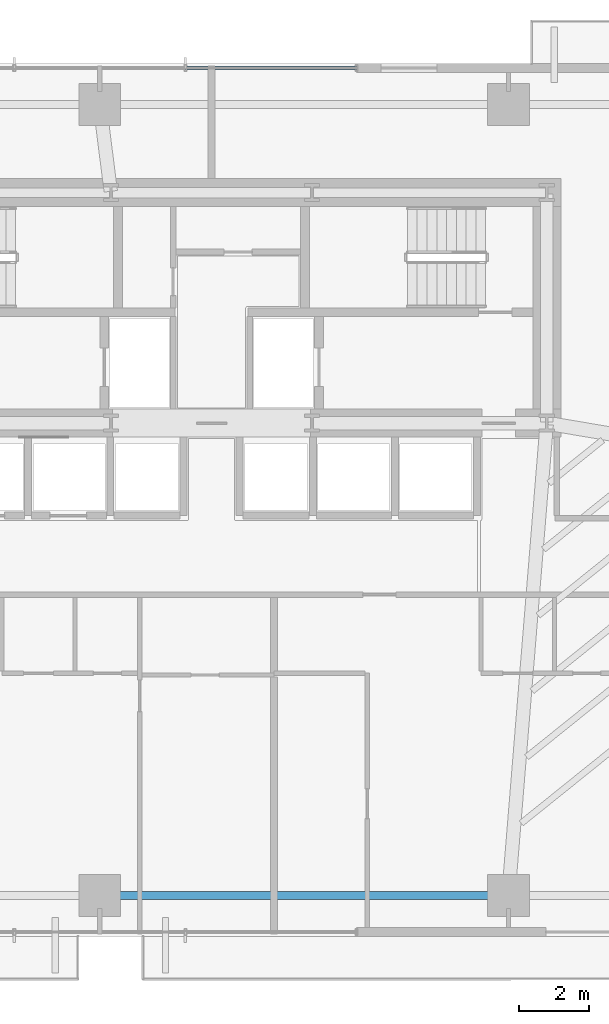
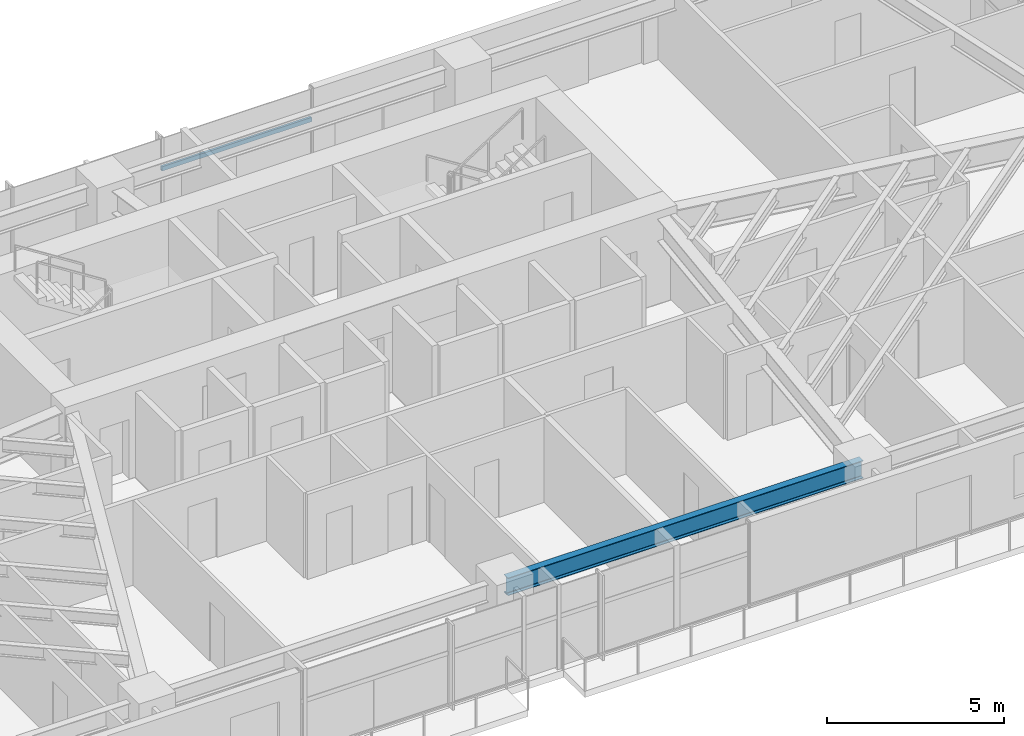
# One storey, part 11 of 25: 1 beam, 1 member, 1 element without a shape of its own.
"""IFC4 building model written with IfcOpenShell, lengths in metres."""

import ifcopenshell
import ifcopenshell.guid

model = None  # the IFC model being written
_history = None  # IfcOwnerHistory: only IFC2X3 demands one
_inside = {}  # id of a spatial element -> (the spatial element, [elements in it])
_under = {}  # id of a project, library or spatial element -> (it, [spatial elements below it])
_declared = {}  # id of a project -> (the project, [libraries it declares])
_typed = {}  # id of a type object -> (the type object, [elements of that type])
_made_of = {}  # id of a material, layer set ... -> (it, [elements and type objects made of it])


def new_model(schema):
    """Start an empty IFC model of exactly this schema.

    Asked for "IFC4X3", IfcOpenShell would pick the latest addendum, in which some entities
    have other attributes; the version numbers below select the first issue.
    IFC2X3 requires an IfcOwnerHistory on every rooted entity: one is made here for all.
    """
    global model, _history
    if schema == "IFC4X3":
        model = ifcopenshell.file(schema_version=(4, 3, 0, 0))
    else:
        model = ifcopenshell.file(schema=schema)
    _inside.clear()
    _under.clear()
    _declared.clear()
    _typed.clear()
    _made_of.clear()
    _history = None
    if model.schema == "IFC2X3":
        org = make("IfcOrganization", Name="unknown")
        user = make(
            "IfcPersonAndOrganization",
            ThePerson=make("IfcPerson", FamilyName="unknown"),
            TheOrganization=org,
        )
        app = make(
            "IfcApplication",
            ApplicationDeveloper=org,
            Version="unknown",
            ApplicationFullName="unknown",
            ApplicationIdentifier="unknown",
        )
        _history = make(
            "IfcOwnerHistory",
            OwningUser=user,
            OwningApplication=app,
            ChangeAction="ADDED",
            CreationDate=0,
        )
    return model


def make(cls, **values):
    """One entity of the class cls with the attributes given. An attribute that is None is left unset."""
    return model.create_entity(
        cls, **{name: value for name, value in values.items() if value is not None}
    )


def rooted(cls, **values):
    """An entity with a GlobalId (a new one), such as an element, a storey or a relation."""
    return make(cls, GlobalId=ifcopenshell.guid.new(), OwnerHistory=_history, **values)


def si_unit(unit_type, name, prefix=None):
    """IfcSIUnit, for example si_unit("LENGTHUNIT", "METRE", prefix="MILLI")."""
    return make("IfcSIUnit", UnitType=unit_type, Prefix=prefix, Name=name)


def assignment(units):
    """IfcUnitAssignment: the units of a project."""
    return None if units is None else make("IfcUnitAssignment", Units=units)


def point(xyz):
    """IfcCartesianPoint."""
    return None if xyz is None else make("IfcCartesianPoint", Coordinates=xyz)


def direction(xyz):
    """IfcDirection."""
    return None if xyz is None else make("IfcDirection", DirectionRatios=xyz)


def frame(location, z_axis=None, x_axis=None):
    """IfcAxis2Placement3D, a coordinate frame: its origin and axes. An axis left out is left unset."""
    return make(
        "IfcAxis2Placement3D",
        Location=point(location),
        Axis=direction(z_axis),
        RefDirection=direction(x_axis),
    )


def frame_2d(location, x_axis=None):
    """IfcAxis2Placement2D, a coordinate frame in the plane: its origin and x axis."""
    return make(
        "IfcAxis2Placement2D", Location=point(location), RefDirection=direction(x_axis)
    )


def origin():
    """The frame at (0, 0, 0) with its axes left unset."""
    return frame((0.0, 0.0, 0.0))


def origin_2d():
    """The frame at (0, 0) in the plane with its x axis left unset."""
    return frame_2d((0.0, 0.0))


def place(relative_to, where):
    """IfcLocalPlacement: puts the frame where relative to a parent placement (None: the world)."""
    return make(
        "IfcLocalPlacement", PlacementRelTo=relative_to, RelativePlacement=where
    )


def context(
    kind, dimensions, precision=None, world=None, true_north=None, identifier=None
):
    """IfcGeometricRepresentationContext, for example the 3D "Model" context."""
    return make(
        "IfcGeometricRepresentationContext",
        ContextIdentifier=identifier,
        ContextType=kind,
        CoordinateSpaceDimension=dimensions,
        Precision=precision,
        WorldCoordinateSystem=world,
        TrueNorth=true_north,
    )


def subcontext(parent, identifier, kind, view, scale=None):
    """IfcGeometricRepresentationSubContext, for example "Body" below "Model"."""
    return make(
        "IfcGeometricRepresentationSubContext",
        ContextIdentifier=identifier,
        ContextType=kind,
        ParentContext=parent,
        TargetScale=scale,
        TargetView=view,
    )


def project(units=None, contexts=None):
    """IfcProject with its units and contexts."""
    return rooted(
        "IfcProject",
        Name="project",
        RepresentationContexts=contexts,
        UnitsInContext=assignment(units),
    )


def spatial(cls, under=None, at=None, **own):
    """A site, building, storey or space (cls), placed at a placement, below another one or the project."""
    s = rooted(cls, ObjectPlacement=at, **own)
    if under is not None:
        _under.setdefault(under.id(), (under, []))[1].append(s)
    return s


def profile(cls, at=None, kind="AREA", **sizes):
    """A parametric profile (cls). Its sizes go by their IFC names, for example OverallWidth=200.0."""
    return make(cls, ProfileType=kind, Position=at, **sizes)


def hollow_rectangle(**sizes):
    """IfcRectangleHollowProfileDef."""
    return profile("IfcRectangleHollowProfileDef", **sizes)


def i_section(**sizes):
    """IfcIShapeProfileDef."""
    return profile("IfcIShapeProfileDef", **sizes)


def extrude(swept, where, along, depth):
    """IfcExtrudedAreaSolid: the profile swept, set in the frame where, extruded along a direction by depth."""
    return make(
        "IfcExtrudedAreaSolid",
        SweptArea=swept,
        Position=where,
        ExtrudedDirection=direction(along),
        Depth=depth,
    )


def shape(context_of_items, identifier, shape_type, items):
    """IfcShapeRepresentation: the items that make up one representation, for example the "Body"."""
    return make(
        "IfcShapeRepresentation",
        ContextOfItems=context_of_items,
        RepresentationIdentifier=identifier,
        RepresentationType=shape_type,
        Items=items,
    )


def source(mapping_origin, context_of_items, identifier, shape_type, items):
    """IfcRepresentationMap: a shape defined once, which mapped items show again and again."""
    return make(
        "IfcRepresentationMap",
        MappingOrigin=mapping_origin,
        MappedRepresentation=shape(context_of_items, identifier, shape_type, items),
    )


def transform(
    local_origin,
    x_axis=None,
    y_axis=None,
    z_axis=None,
    scale=None,
    scale2=None,
    scale3=None,
    uniform=True,
):
    """IfcCartesianTransformationOperator3D, or its non-uniform kind. x_axis, y_axis, z_axis: its Axis1, 2, 3."""
    if uniform:
        return make(
            "IfcCartesianTransformationOperator3D",
            Axis1=direction(x_axis),
            Axis2=direction(y_axis),
            LocalOrigin=point(local_origin),
            Scale=scale,
            Axis3=direction(z_axis),
        )
    return make(
        "IfcCartesianTransformationOperator3DnonUniform",
        Axis1=direction(x_axis),
        Axis2=direction(y_axis),
        LocalOrigin=point(local_origin),
        Scale=scale,
        Axis3=direction(z_axis),
        Scale2=scale2,
        Scale3=scale3,
    )


def mapped(mapping_source, mapping_target):
    """IfcMappedItem: shows the shape of a source again, moved by a transform."""
    return make(
        "IfcMappedItem", MappingSource=mapping_source, MappingTarget=mapping_target
    )


def material(Name=None, Category=None):
    """IfcMaterial."""
    return make("IfcMaterial", Name=Name, Category=Category)


def material_profile(
    of_material, cross_section, Name=None, Category=None, Priority=None
):
    """IfcMaterialProfile: a cross section and its material."""
    return make(
        "IfcMaterialProfile",
        Name=Name,
        Material=of_material,
        Profile=cross_section,
        Priority=Priority,
        Category=Category,
    )


def profile_set(profiles, Name=None, composite=None):
    """IfcMaterialProfileSet."""
    return make(
        "IfcMaterialProfileSet",
        Name=Name,
        MaterialProfiles=profiles,
        CompositeProfile=composite,
    )


def made_of(thing, what):
    """Note that an element or type object is made of a material, layer set ...; save() writes the relation."""
    if what is not None:
        _made_of.setdefault(what.id(), (what, []))[1].append(thing)
    return thing


def type_object(cls, material=None, **own):
    """A type object (cls), such as IfcWallType, which elements share."""
    return made_of(rooted(cls, **own), material)


def type_shapes(of_type, sources):
    """Give a type object the sources (RepresentationMaps) that its elements show as mapped items."""
    of_type.RepresentationMaps = sources


def element(
    cls,
    number,
    at=None,
    inside=None,
    cuts=None,
    type_object=None,
    material=None,
    context=None,
    identifier="Body",
    shape_type=None,
    held_by="IfcProductDefinitionShape",
    body=None,
    shapes=None,
    **own,
):
    """One element of the class cls, such as IfcWall. Its Tag is "e" and its number.

    at: its placement. inside: the storey or other place that contains it. cuts: it is an
    opening in that element (IfcRelVoidsElement). A single representation is given by context,
    identifier, shape_type and body (its items); several are given by shapes. held_by: the class
    of the entity that holds the representations. save() writes the other relations.
    """
    e = rooted(cls, Tag="e%d" % number, ObjectPlacement=at, **own)
    if body is not None:
        shapes = [shape(context, identifier, shape_type, body)]
    if shapes is not None:
        e.Representation = make(held_by, Representations=shapes)
    if inside is not None:
        _inside.setdefault(inside.id(), (inside, []))[1].append(e)
    if cuts is not None:
        rooted(
            "IfcRelVoidsElement", RelatingBuildingElement=cuts, RelatedOpeningElement=e
        )
    if type_object is not None:
        _typed.setdefault(type_object.id(), (type_object, []))[1].append(e)
    return made_of(e, material)


def aggregate(whole, parts):
    """IfcRelAggregates: a whole, such as a stair, and the parts it consists of."""
    return rooted("IfcRelAggregates", RelatingObject=whole, RelatedObjects=parts)


def save(model, path):
    """Write the relations noted so far, then the file.

    IfcRelAggregates (storeys below a building ...), IfcRelContainedInSpatialStructure (elements
    in a storey), IfcRelDefinesByType, IfcRelAssociatesMaterial and IfcRelDeclares: one each for
    every whole, place, type object, material and project.
    """
    for whole, parts in _under.values():
        aggregate(whole, parts)
    for where, things in _inside.values():
        rooted(
            "IfcRelContainedInSpatialStructure",
            RelatedElements=things,
            RelatingStructure=where,
        )
    for kind, things in _typed.values():
        rooted("IfcRelDefinesByType", RelatedObjects=things, RelatingType=kind)
    for what, things in _made_of.values():
        rooted("IfcRelAssociatesMaterial", RelatedObjects=things, RelatingMaterial=what)
    for by, libraries in _declared.values():
        rooted("IfcRelDeclares", RelatingContext=by, RelatedDefinitions=libraries)
    model.write(path)


model = new_model("IFC4")

# Units and contexts
model_context = context("Model", 3, precision=1e-05, world=origin(), true_north=direction((0.0, 1.0)))
body_context = subcontext(model_context, "Body", "Model", "MODEL_VIEW")
ifc_project = project(units=[si_unit("LENGTHUNIT", "METRE"), si_unit("AREAUNIT", "SQUARE_METRE"), si_unit("VOLUMEUNIT", "CUBIC_METRE"), si_unit("PLANEANGLEUNIT", "RADIAN"), si_unit("MASSUNIT", "GRAM", prefix="KILO")], contexts=[model_context])

# Site, building, storey
site_placement = place(None, origin())
site = spatial("IfcSite", under=ifc_project, at=site_placement, CompositionType="ELEMENT")
building_placement = place(site_placement, origin())
building = spatial("IfcBuilding", under=site, at=building_placement, Name="Astriad Promenade Condominiums", CompositionType="ELEMENT")
storey_placement = place(building_placement, frame((0.0, 0.0, 35.800048828125)))
storey = spatial("IfcBuildingStorey", under=building, at=storey_placement, Name="L09", CompositionType="ELEMENT", Elevation=35.800048828125)

# Beam
ifc_material_1 = material(Name="Steel ASTM A992 Grade 50", Category="steel")
ifc_material_profile_1 = material_profile(ifc_material_1, i_section(OverallWidth=0.22900390625, OverallDepth=0.612060546875, WebThickness=0.011962890625, FlangeThickness=0.01953125, FilletRadius=0.017822265625, at=origin_2d()), Name="W24X84")
ifc_profile_set_1 = profile_set([ifc_material_profile_1], Name="Steel ASTM A992 Grade 50")
beam_type = type_object("IfcBeamType", Name="STEEL SPANDREL BEAM W24X84", PredefinedType="SPANDREL", material=ifc_profile_set_1)
shared_shape_1 = source(origin(), body_context, "Body", "SweptSolid", [
    extrude(i_section(OverallWidth=0.22900390625, OverallDepth=0.612060546875, WebThickness=0.011962890625, FlangeThickness=0.01953125, FilletRadius=0.017822265625, at=origin_2d()), origin(), (0.0, 0.0, 1.0), 11.619873046875),
])
type_shapes(beam_type, [shared_shape_1])
beam_placement = place(storey_placement, frame((32.840087890625, 3.8798828125, 2.634033203125), z_axis=(1.0, 0.0, 0.0), x_axis=(0.0, 1.0, 0.0)))
element("IfcBeam", 1, at=beam_placement, inside=storey, type_object=beam_type, Name="Perimeter Spandrel Beam SP-S3-L09", PredefinedType="SPANDREL", context=body_context, shape_type="MappedRepresentation", body=[
    mapped(shared_shape_1, transform((0.0, 0.0, 0.0), scale=1.0)),
])

# Curtain wall, member
ifc_material_2 = material(Name="Anodised aluminium Black Dark Glass Unitised", Category="aluminium")
curtain_wall_type = type_object("IfcCurtainWallType", Name="CW-B1-DARK", PredefinedType="USERDEFINED", material=ifc_material_2)
curtain_wall_placement = place(storey_placement, origin())
curtain_wall = element("IfcCurtainWall", 2, at=curtain_wall_placement, inside=storey, type_object=curtain_wall_type, Name="CW-L09-N", ObjectType="UNITISED_CURTAIN_WALL", PredefinedType="USERDEFINED")
ifc_material_3 = material(Name="Anodised aluminium 6063-T6 Black", Category="aluminium")
ifc_material_profile_2 = material_profile(ifc_material_3, hollow_rectangle(XDim=0.074951171875, YDim=0.14990234375, WallThickness=0.004150390625, at=origin_2d()), Name="ALU-TRN-75X150")
ifc_profile_set_2 = profile_set([ifc_material_profile_2], Name="Anodised aluminium 6063-T6 Black")
member_type = type_object("IfcMemberType", Name="TRN-ALU-TRN-75X150", PredefinedType="USERDEFINED", material=ifc_profile_set_2)
shared_shape_2 = source(origin(), body_context, "Body", "SweptSolid", [
    extrude(hollow_rectangle(XDim=0.074951171875, YDim=0.14990234375, WallThickness=0.004150390625, at=origin_2d()), origin(), (0.0, 0.0, 1.0), 4.89990234375),
])
type_shapes(member_type, [shared_shape_2])
member_placement = place(storey_placement, frame((35.25, 27.570068359375, 1.82275390625), z_axis=(1.0, 0.0, 0.0), x_axis=(0.0, 1.0, 0.0)))
member = element("IfcMember", 3, at=member_placement, type_object=member_type, Name="CW-L09-N-TRN-02-0", ObjectType="TRANSOM", PredefinedType="USERDEFINED", context=body_context, shape_type="MappedRepresentation", body=[
    mapped(shared_shape_2, transform((0.0, 0.0, 0.0), scale=1.0)),
])
aggregate(curtain_wall, [member])

save(model, "model.ifc")
